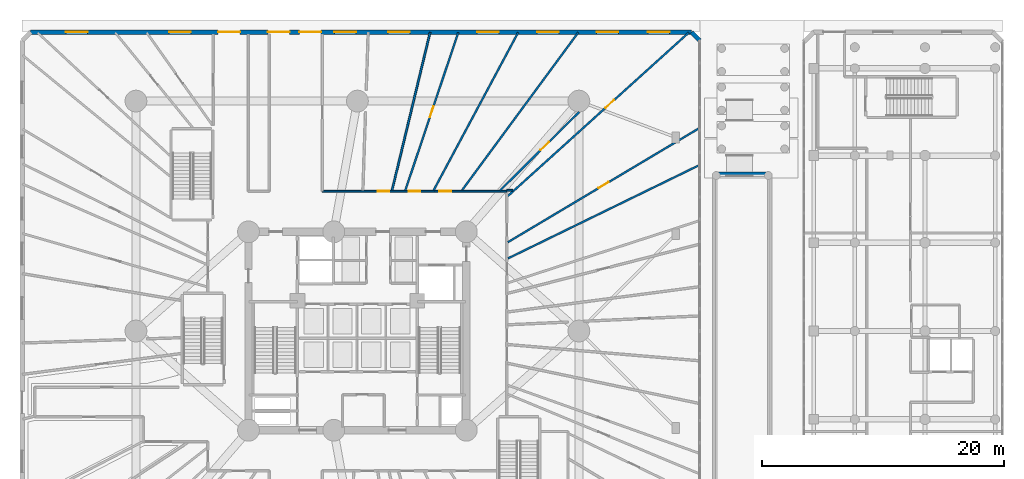
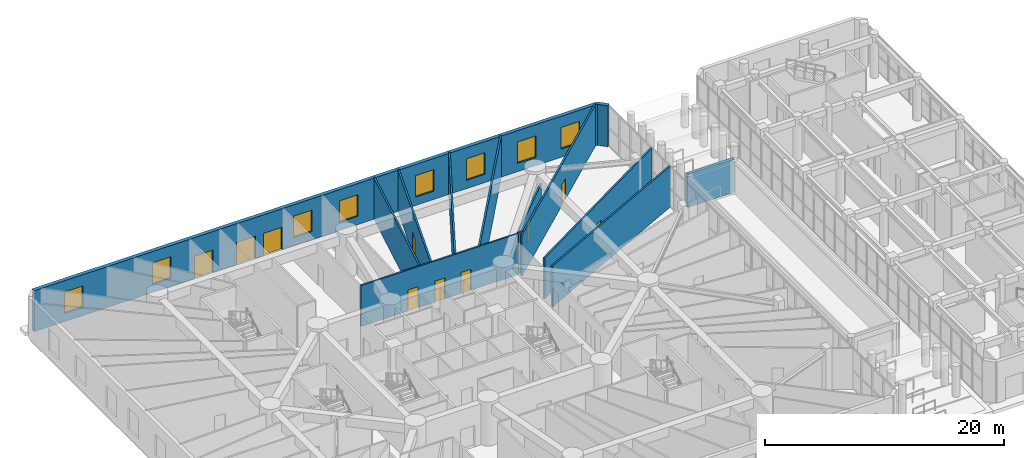
# One storey, part 19 of 30: 13 walls, 10 doors, 8 windows, 18 openings.
"""IFC4 building model written with IfcOpenShell, lengths in metres."""

from ifc_helpers import new_model, si_unit, direction, frame, frame_2d, origin, origin_with_axes, place, context, subcontext, project, spatial, rectangle, extrude, source, transform, mapped, material, layer, layer_set, type_object, element, fill, save


model = new_model("IFC4")

# Units and contexts
model_context = context("Model", 3, precision=1e-05, world=origin(), true_north=direction((0.0, 1.0)))
body_context = subcontext(model_context, "Body", "Model", "MODEL_VIEW")
ifc_project = project(units=[si_unit("LENGTHUNIT", "METRE"), si_unit("AREAUNIT", "SQUARE_METRE"), si_unit("VOLUMEUNIT", "CUBIC_METRE"), si_unit("PLANEANGLEUNIT", "RADIAN"), si_unit("MASSUNIT", "GRAM", prefix="KILO")], contexts=[model_context])

# Site, building, storey
site_placement = place(None, origin())
site = spatial("IfcSite", under=ifc_project, at=site_placement, CompositionType="ELEMENT")
building_placement = place(site_placement, origin())
building = spatial("IfcBuilding", under=site, at=building_placement, Name="Karkom Vertical University and Central Library", CompositionType="ELEMENT")
storey_placement = place(building_placement, origin())
storey = spatial("IfcBuildingStorey", under=building, at=storey_placement, Name="L00", CompositionType="ELEMENT", Elevation=0.0)

# Walls
ifc_material_1 = material(Name="Brick-faced precast concrete C45/55", Category="masonry")
ifc_layer_1 = layer(ifc_material_1, 0.320068359375)
ifc_layer_set_1 = layer_set([ifc_layer_1], Name="Brick-faced precast concrete C45/55")
wall_type_1 = type_object("IfcWallType", Name="ENV-WL-BRK-320", PredefinedType="SOLIDWALL", material=ifc_layer_set_1)
wall_1_placement = place(storey_placement, frame((58.0, 39.5, 0.0), z_axis=(0.0, 0.0, 1.0), x_axis=(1.0, 0.0, 0.0)))
element("IfcWall", 1, at=wall_1_placement, inside=storey, type_object=wall_type_1, Name="Level 00 Car Park Ramp Pavilion Wall N", PredefinedType="SOLIDWALL", context=body_context, shape_type="SweptSolid", body=[
    extrude(rectangle(XDim=4.60009765625, YDim=0.320068359375, at=frame_2d((2.300048828125, 0.0))), origin(), (0.0, 0.0, 1.0), 3.360107421875),
])
ifc_material_2 = material(Name="Brick masonry 360mm insulated cavity", Category="masonry")
ifc_layer_2 = layer(ifc_material_2, 0.360107421875)
ifc_layer_set_2 = layer_set([ifc_layer_2], Name="Brick masonry 360mm insulated cavity")
wall_type_2 = type_object("IfcWallType", Name="ENV-WL-BRK-360", PredefinedType="SOLIDWALL", material=ifc_layer_set_2)
wall_2_placement = place(storey_placement, frame((56.800048828125, 50.5, 0.0), z_axis=(0.0, 0.0, 1.0), x_axis=(-0.707106781187, 0.707106781187, 0.0)))
element("IfcWall", 2, at=wall_2_placement, inside=storey, type_object=wall_type_2, Name="Level 00 POD Terracotta Brick Facade Wall 04", PredefinedType="SOLIDWALL", context=body_context, shape_type="SweptSolid", body=[
    extrude(rectangle(XDim=0.989990234375, YDim=0.360107421875, at=frame_2d((0.4951171875, 0.0))), origin(), (0.0, 0.0, 1.0), 4.199951171875),
])

# Wall, openings, windows, doors
wall_3_placement = place(storey_placement, frame((1.5, 51.199951171875, 0.0), z_axis=(0.0, 0.0, 1.0), x_axis=(1.0, 0.0, 0.0)))
wall_3 = element("IfcWall", 3, at=wall_3_placement, inside=storey, type_object=wall_type_2, Name="Level 00 POD Terracotta Brick Facade Wall 05", PredefinedType="SOLIDWALL", context=body_context, shape_type="SweptSolid", body=[
    extrude(rectangle(XDim=54.60009765625, YDim=0.360107421875, at=frame_2d((27.300048828125, 0.0))), origin(), (0.0, 0.0, 1.0), 4.199951171875),
])
opening_1_placement = place(wall_3_placement, frame((51.007080078125, 0.0, 0.85009765625)))
opening_1 = element("IfcOpeningElement", 4, at=opening_1_placement, cuts=wall_3, Name="Opening WN-01", PredefinedType="OPENING", context=body_context, shape_type="SweptSolid", body=[
    extrude(rectangle(XDim=1.800048828125, YDim=2.199951171875, at=frame_2d((0.89990234375, 1.10009765625))), frame((0.0, 0.18994140625, 0.0), z_axis=(0.0, -1.0, 0.0), x_axis=(1.0, 0.0, 0.0)), (0.0, 0.0, 1.0), 0.380126953125),
])
opening_2_placement = place(wall_3_placement, frame((46.7646484375, 0.0, 0.85009765625)))
opening_2 = element("IfcOpeningElement", 5, at=opening_2_placement, cuts=wall_3, Name="Opening WN-01", PredefinedType="OPENING", context=body_context, shape_type="SweptSolid", body=[
    extrude(rectangle(XDim=1.800048828125, YDim=2.199951171875, at=frame_2d((0.89990234375, 1.10009765625))), frame((0.0, 0.18994140625, 0.0), z_axis=(0.0, -1.0, 0.0), x_axis=(1.0, 0.0, 0.0)), (0.0, 0.0, 1.0), 0.380126953125),
])
opening_3_placement = place(wall_3_placement, frame((41.84423828125, 0.0, 0.85009765625)))
opening_3 = element("IfcOpeningElement", 6, at=opening_3_placement, cuts=wall_3, Name="Opening WN-01", PredefinedType="OPENING", context=body_context, shape_type="SweptSolid", body=[
    extrude(rectangle(XDim=1.800048828125, YDim=2.199951171875, at=frame_2d((0.89990234375, 1.10009765625))), frame((0.0, 0.18994140625, 0.0), z_axis=(0.0, -1.0, 0.0), x_axis=(1.0, 0.0, 0.0)), (0.0, 0.0, 1.0), 0.380126953125),
])
opening_4_placement = place(wall_3_placement, frame((36.893798828125, 0.0, 0.85009765625)))
opening_4 = element("IfcOpeningElement", 7, at=opening_4_placement, cuts=wall_3, Name="Opening WN-01", PredefinedType="OPENING", context=body_context, shape_type="SweptSolid", body=[
    extrude(rectangle(XDim=1.800048828125, YDim=2.199951171875, at=frame_2d((0.89990234375, 1.10009765625))), frame((0.0, 0.18994140625, 0.0), z_axis=(0.0, -1.0, 0.0), x_axis=(1.0, 0.0, 0.0)), (0.0, 0.0, 1.0), 0.380126953125),
])
opening_5_placement = place(wall_3_placement, frame((29.542236328125, 0.0, 0.85009765625)))
opening_5 = element("IfcOpeningElement", 8, at=opening_5_placement, cuts=wall_3, Name="Opening WN-01", PredefinedType="OPENING", context=body_context, shape_type="SweptSolid", body=[
    extrude(rectangle(XDim=1.800048828125, YDim=2.199951171875, at=frame_2d((0.89990234375, 1.10009765625))), frame((0.0, 0.18994140625, 0.0), z_axis=(0.0, -1.0, 0.0), x_axis=(1.0, 0.0, 0.0)), (0.0, 0.0, 1.0), 0.380126953125),
])
opening_6_placement = place(wall_3_placement, frame((25.09423828125, 0.0, 0.85009765625)))
opening_6 = element("IfcOpeningElement", 9, at=opening_6_placement, cuts=wall_3, Name="Opening WN-01", PredefinedType="OPENING", context=body_context, shape_type="SweptSolid", body=[
    extrude(rectangle(XDim=1.800048828125, YDim=2.199951171875, at=frame_2d((0.89990234375, 1.10009765625))), frame((0.0, 0.18994140625, 0.0), z_axis=(0.0, -1.0, 0.0), x_axis=(1.0, 0.0, 0.0)), (0.0, 0.0, 1.0), 0.380126953125),
])
opening_7_placement = place(wall_3_placement, frame((11.4453125, 0.0, 0.85009765625)))
opening_7 = element("IfcOpeningElement", 10, at=opening_7_placement, cuts=wall_3, Name="Opening WN-01", PredefinedType="OPENING", context=body_context, shape_type="SweptSolid", body=[
    extrude(rectangle(XDim=1.800048828125, YDim=2.199951171875, at=frame_2d((0.89990234375, 1.10009765625))), frame((0.0, 0.18994140625, 0.0), z_axis=(0.0, -1.0, 0.0), x_axis=(1.0, 0.0, 0.0)), (0.0, 0.0, 1.0), 0.380126953125),
])
opening_8_placement = place(wall_3_placement, frame((2.908447265625, 0.0, 0.85009765625)))
opening_8 = element("IfcOpeningElement", 11, at=opening_8_placement, cuts=wall_3, Name="Opening WN-01", PredefinedType="OPENING", context=body_context, shape_type="SweptSolid", body=[
    extrude(rectangle(XDim=1.800048828125, YDim=2.199951171875, at=frame_2d((0.89990234375, 1.10009765625))), frame((0.0, 0.18994140625, 0.0), z_axis=(0.0, -1.0, 0.0), x_axis=(1.0, 0.0, 0.0)), (0.0, 0.0, 1.0), 0.380126953125),
])
opening_9_placement = place(wall_3_placement, frame((19.60009765625, 0.0, 0.0)))
opening_9 = element("IfcOpeningElement", 12, at=opening_9_placement, cuts=wall_3, Name="Opening ED-1", PredefinedType="OPENING", context=body_context, shape_type="SweptSolid", body=[
    extrude(rectangle(XDim=1.800048828125, YDim=2.300048828125, at=frame_2d((0.89990234375, 1.14990234375))), frame((0.0, 0.18994140625, 0.0), z_axis=(0.0, -1.0, 0.0), x_axis=(1.0, 0.0, 0.0)), (0.0, 0.0, 1.0), 0.380126953125),
])
opening_10_placement = place(wall_3_placement, frame((22.199951171875, 0.0, 0.0)))
opening_10 = element("IfcOpeningElement", 13, at=opening_10_placement, cuts=wall_3, Name="Opening ED-1", PredefinedType="OPENING", context=body_context, shape_type="SweptSolid", body=[
    extrude(rectangle(XDim=1.800048828125, YDim=2.300048828125, at=frame_2d((0.89990234375, 1.14990234375))), frame((0.0, 0.18994140625, 0.0), z_axis=(0.0, -1.0, 0.0), x_axis=(1.0, 0.0, 0.0)), (0.0, 0.0, 1.0), 0.380126953125),
])
opening_11_placement = place(wall_3_placement, frame((15.5, 0.0, 0.0)))
opening_11 = element("IfcOpeningElement", 14, at=opening_11_placement, cuts=wall_3, Name="Opening ED-1", PredefinedType="OPENING", context=body_context, shape_type="SweptSolid", body=[
    extrude(rectangle(XDim=1.800048828125, YDim=2.300048828125, at=frame_2d((0.89990234375, 1.14990234375))), frame((0.0, 0.18994140625, 0.0), z_axis=(0.0, -1.0, 0.0), x_axis=(1.0, 0.0, 0.0)), (0.0, 0.0, 1.0), 0.380126953125),
])
ifc_material_3 = material(Name="Aluminium thermal-break frame with solar-control IGU", Category="aluminium")
window_type = type_object("IfcWindowType", Name="ENV-WIN-WN-01", PartitioningType="SINGLE_PANEL", PredefinedType="WINDOW", material=ifc_material_3)
shared_shape_1 = source(origin_with_axes(), body_context, "Body", "SweptSolid", [
    extrude(rectangle(XDim=1.800048828125, YDim=2.199951171875, at=frame_2d((0.89990234375, 1.10009765625))), frame((0.0, 0.030029296875, 0.0), z_axis=(0.0, -1.0, 0.0), x_axis=(1.0, 0.0, 0.0)), (0.0, 0.0, 1.0), 0.06005859375),
])
window_1_placement = place(opening_1_placement, origin())
window_1 = element("IfcWindow", 15, at=window_1_placement, inside=storey, type_object=window_type, Name="Level 00 POD Punched Window 01", OverallHeight=2.199951171875, OverallWidth=1.800048828125, PartitioningType="SINGLE_PANEL", PredefinedType="WINDOW", context=body_context, shape_type="MappedRepresentation", body=[
    mapped(shared_shape_1, transform((0.0, 0.0, 0.0), scale=1.0)),
])
fill(opening_1, window_1)
window_2_placement = place(opening_2_placement, origin())
window_2 = element("IfcWindow", 16, at=window_2_placement, inside=storey, type_object=window_type, Name="Level 00 POD Punched Window 02", OverallHeight=2.199951171875, OverallWidth=1.800048828125, PartitioningType="SINGLE_PANEL", PredefinedType="WINDOW", context=body_context, shape_type="MappedRepresentation", body=[
    mapped(shared_shape_1, transform((0.0, 0.0, 0.0), scale=1.0)),
])
fill(opening_2, window_2)
window_3_placement = place(opening_3_placement, origin())
window_3 = element("IfcWindow", 17, at=window_3_placement, inside=storey, type_object=window_type, Name="Level 00 POD Punched Window 03", OverallHeight=2.199951171875, OverallWidth=1.800048828125, PartitioningType="SINGLE_PANEL", PredefinedType="WINDOW", context=body_context, shape_type="MappedRepresentation", body=[
    mapped(shared_shape_1, transform((0.0, 0.0, 0.0), scale=1.0)),
])
fill(opening_3, window_3)
window_4_placement = place(opening_4_placement, origin())
window_4 = element("IfcWindow", 18, at=window_4_placement, inside=storey, type_object=window_type, Name="Level 00 POD Punched Window 04", OverallHeight=2.199951171875, OverallWidth=1.800048828125, PartitioningType="SINGLE_PANEL", PredefinedType="WINDOW", context=body_context, shape_type="MappedRepresentation", body=[
    mapped(shared_shape_1, transform((0.0, 0.0, 0.0), scale=1.0)),
])
fill(opening_4, window_4)
window_5_placement = place(opening_5_placement, origin())
window_5 = element("IfcWindow", 19, at=window_5_placement, inside=storey, type_object=window_type, Name="Level 00 POD Punched Window 05", OverallHeight=2.199951171875, OverallWidth=1.800048828125, PartitioningType="SINGLE_PANEL", PredefinedType="WINDOW", context=body_context, shape_type="MappedRepresentation", body=[
    mapped(shared_shape_1, transform((0.0, 0.0, 0.0), scale=1.0)),
])
fill(opening_5, window_5)
window_6_placement = place(opening_6_placement, origin())
window_6 = element("IfcWindow", 20, at=window_6_placement, inside=storey, type_object=window_type, Name="Level 00 POD Punched Window 06", OverallHeight=2.199951171875, OverallWidth=1.800048828125, PartitioningType="SINGLE_PANEL", PredefinedType="WINDOW", context=body_context, shape_type="MappedRepresentation", body=[
    mapped(shared_shape_1, transform((0.0, 0.0, 0.0), scale=1.0)),
])
fill(opening_6, window_6)
window_7_placement = place(opening_7_placement, origin())
window_7 = element("IfcWindow", 21, at=window_7_placement, inside=storey, type_object=window_type, Name="Level 00 POD Punched Window 09", OverallHeight=2.199951171875, OverallWidth=1.800048828125, PartitioningType="SINGLE_PANEL", PredefinedType="WINDOW", context=body_context, shape_type="MappedRepresentation", body=[
    mapped(shared_shape_1, transform((0.0, 0.0, 0.0), scale=1.0)),
])
fill(opening_7, window_7)
window_8_placement = place(opening_8_placement, origin())
window_8 = element("IfcWindow", 22, at=window_8_placement, inside=storey, type_object=window_type, Name="Level 00 POD Punched Window 10", OverallHeight=2.199951171875, OverallWidth=1.800048828125, PartitioningType="SINGLE_PANEL", PredefinedType="WINDOW", context=body_context, shape_type="MappedRepresentation", body=[
    mapped(shared_shape_1, transform((0.0, 0.0, 0.0), scale=1.0)),
])
fill(opening_8, window_8)
ifc_material_4 = material(Name="Thermally broken glazed steel exit door", Category="steel")
door_type_1 = type_object("IfcDoorType", Name="ENV-DR-ED1", OperationType="DOUBLE_DOOR_SINGLE_SWING", PredefinedType="DOOR", material=ifc_material_4)
shared_shape_2 = source(origin_with_axes(), body_context, "Body", "SweptSolid", [
    extrude(rectangle(XDim=1.800048828125, YDim=2.300048828125, at=frame_2d((0.89990234375, 1.14990234375))), frame((0.0, 0.02490234375, 0.0), z_axis=(0.0, -1.0, 0.0), x_axis=(1.0, 0.0, 0.0)), (0.0, 0.0, 1.0), 0.050048828125),
])
door_1_placement = place(opening_9_placement, origin())
door_1 = element("IfcDoor", 23, at=door_1_placement, inside=storey, type_object=door_type_1, Name="Level 00 Final Ground Exit Door ED-03", OperationType="DOUBLE_DOOR_SINGLE_SWING", OverallHeight=2.300048828125, OverallWidth=1.800048828125, PredefinedType="DOOR", context=body_context, shape_type="MappedRepresentation", body=[
    mapped(shared_shape_2, transform((0.0, 0.0, 0.0), scale=1.0)),
])
fill(opening_9, door_1)
door_2_placement = place(opening_10_placement, origin())
door_2 = element("IfcDoor", 24, at=door_2_placement, inside=storey, type_object=door_type_1, Name="Level 00 Final Ground Exit Door ED-04", OperationType="DOUBLE_DOOR_SINGLE_SWING", OverallHeight=2.300048828125, OverallWidth=1.800048828125, PredefinedType="DOOR", context=body_context, shape_type="MappedRepresentation", body=[
    mapped(shared_shape_2, transform((0.0, 0.0, 0.0), scale=1.0)),
])
fill(opening_10, door_2)
door_3_placement = place(opening_11_placement, origin())
door_3 = element("IfcDoor", 25, at=door_3_placement, inside=storey, type_object=door_type_1, Name="Level 00 Final Ground Exit Door ED-07", OperationType="DOUBLE_DOOR_SINGLE_SWING", OverallHeight=2.300048828125, OverallWidth=1.800048828125, PredefinedType="DOOR", context=body_context, shape_type="MappedRepresentation", body=[
    mapped(shared_shape_2, transform((0.0, 0.0, 0.0), scale=1.0)),
])
fill(opening_11, door_3)

# Wall, opening, door
ifc_material_5 = material(Name="Insulated metal-stud drywall 160mm", Category="gypsum")
ifc_layer_3 = layer(ifc_material_5, 0.159912109375)
ifc_layer_set_3 = layer_set([ifc_layer_3], Name="Insulated metal-stud drywall 160mm")
wall_type_3 = type_object("IfcWallType", Name="INT-WL-COR-160", PredefinedType="PARTITIONING", material=ifc_layer_set_3)
wall_4_placement = place(storey_placement, frame((40.931884765625, 37.65234375, 0.0), z_axis=(0.0, 0.0, 1.0), x_axis=(0.741982219561, 0.670419559571, 0.0)))
wall_4 = element("IfcWall", 26, at=wall_4_placement, inside=storey, type_object=wall_type_3, Name="Level 00 Interior Partition Wall L00-PODW-32-33-1", PredefinedType="PARTITIONING", context=body_context, shape_type="SweptSolid", body=[
    extrude(rectangle(XDim=20.138427734375, YDim=0.159912109375, at=frame_2d((10.0693359375, 0.0))), origin(), (0.0, 0.0, 1.0), 4.199951171875),
])
opening_12_placement = place(wall_4_placement, frame((10.86669921875, 0.0, 0.0)))
opening_12 = element("IfcOpeningElement", 27, at=opening_12_placement, cuts=wall_4, Name="Opening FD-RM2", PredefinedType="OPENING", context=body_context, shape_type="SweptSolid", body=[
    extrude(rectangle(XDim=0.9599609375, YDim=2.14990234375, at=frame_2d((0.47998046875, 1.074951171875))), frame((0.0, 0.08984375, 0.0), z_axis=(0.0, -1.0, 0.0), x_axis=(1.0, 0.0, 0.0)), (0.0, 0.0, 1.0), 0.179931640625),
])
ifc_material_6 = material(Name="Fire-rated oak veneer door", Category="wood")
door_type_2 = type_object("IfcDoorType", Name="INT-DR-FRM2", OperationType="NOTDEFINED", PredefinedType="DOOR", material=ifc_material_6)
shared_shape_3 = source(origin_with_axes(), body_context, "Body", "SweptSolid", [
    extrude(rectangle(XDim=0.9599609375, YDim=2.14990234375, at=frame_2d((0.47998046875, 1.074951171875))), frame((0.0, 0.02490234375, 0.0), z_axis=(0.0, -1.0, 0.0), x_axis=(1.0, 0.0, 0.0)), (0.0, 0.0, 1.0), 0.050048828125),
])
door_4_placement = place(opening_12_placement, origin())
door_4 = element("IfcDoor", 28, at=door_4_placement, inside=storey, type_object=door_type_2, Name="Level 00 Room Entry Door 832", OperationType="SINGLE_SWING_LEFT", OverallHeight=2.14990234375, OverallWidth=0.9599609375, PredefinedType="DOOR", context=body_context, shape_type="MappedRepresentation", body=[
    mapped(shared_shape_3, transform((0.0, 0.0, 0.0), scale=1.0)),
])
fill(opening_12, door_4)

wall_5_placement = place(storey_placement, frame((40.931884765625, 33.839111328125, 0.0), z_axis=(0.0, 0.0, 1.0), x_axis=(0.859023594577, 0.51193599596, 0.0)))
wall_5 = element("IfcWall", 29, at=wall_5_placement, inside=storey, type_object=wall_type_3, Name="Level 00 Interior Partition Wall L00-PODW-31-32-1", PredefinedType="PARTITIONING", context=body_context, shape_type="SweptSolid", body=[
    extrude(rectangle(XDim=18.4326171875, YDim=0.159912109375, at=frame_2d((9.21630859375, 0.0))), origin(), (0.0, 0.0, 1.0), 4.199951171875),
])
opening_13_placement = place(wall_5_placement, frame((8.723876953125, 0.0, 0.0)))
opening_13 = element("IfcOpeningElement", 30, at=opening_13_placement, cuts=wall_5, Name="Opening FD-RM2", PredefinedType="OPENING", context=body_context, shape_type="SweptSolid", body=[
    extrude(rectangle(XDim=0.9599609375, YDim=2.14990234375, at=frame_2d((0.47998046875, 1.074951171875))), frame((0.0, 0.08984375, 0.0), z_axis=(0.0, -1.0, 0.0), x_axis=(1.0, 0.0, 0.0)), (0.0, 0.0, 1.0), 0.179931640625),
])
door_5_placement = place(opening_13_placement, origin())
door_5 = element("IfcDoor", 31, at=door_5_placement, inside=storey, type_object=door_type_2, Name="Level 00 Room Entry Door 831", OperationType="SINGLE_SWING_RIGHT", OverallHeight=2.14990234375, OverallWidth=0.9599609375, PredefinedType="DOOR", context=body_context, shape_type="MappedRepresentation", body=[
    mapped(shared_shape_3, transform((0.0, 0.0, 0.0), scale=1.0)),
])
fill(opening_13, door_5)

# Walls
wall_6_placement = place(storey_placement, frame((40.931884765625, 32.49462890625, 0.0), z_axis=(0.0, 0.0, 1.0), x_axis=(0.898852728793, 0.438250809403, 0.0)))
element("IfcWall", 32, at=wall_6_placement, inside=storey, type_object=wall_type_3, Name="Level 00 Interior Partition Wall L00-PODW-30-31-1", PredefinedType="PARTITIONING", context=body_context, shape_type="SweptSolid", body=[
    extrude(rectangle(XDim=17.61865234375, YDim=0.159912109375, at=frame_2d((8.809326171875, 0.0))), origin(), (0.0, 0.0, 1.0), 4.199951171875),
])
wall_7_placement = place(storey_placement, frame((37.144287109375, 38.132080078125, 0.0), z_axis=(0.0, 0.0, 1.0), x_axis=(0.593152727381, 0.805089958949, 0.0)))
element("IfcWall", 33, at=wall_7_placement, inside=storey, type_object=wall_type_3, Name="Level 00 Interior Partition Wall L00-PODW-34-35-1", PredefinedType="PARTITIONING", context=body_context, shape_type="SweptSolid", body=[
    extrude(rectangle(XDim=16.184814453125, YDim=0.159912109375, at=frame_2d((8.09228515625, 0.0))), origin(), (0.0, 0.0, 1.0), 4.199951171875),
])
wall_8_placement = place(storey_placement, frame((34.7919921875, 38.118896484375, 0.0), z_axis=(0.0, 0.0, 1.0), x_axis=(0.472198527924, 0.881492229249, 0.0)))
element("IfcWall", 34, at=wall_8_placement, inside=storey, type_object=wall_type_3, Name="Level 00 Interior Partition Wall L00-PODW-35-36-1", PredefinedType="PARTITIONING", context=body_context, shape_type="SweptSolid", body=[
    extrude(rectangle(XDim=14.802490234375, YDim=0.159912109375, at=frame_2d((7.4013671875, 0.0))), origin(), (0.0, 0.0, 1.0), 4.199951171875),
])

# Wall, opening, door
wall_9_placement = place(storey_placement, frame((32.457763671875, 38.117919921875, 0.0), z_axis=(0.0, 0.0, 1.0), x_axis=(0.317860488547, 0.948137495209, 0.0)))
wall_9 = element("IfcWall", 35, at=wall_9_placement, inside=storey, type_object=wall_type_3, Name="Level 00 Interior Partition Wall L00-PODW-36-37-1", PredefinedType="PARTITIONING", context=body_context, shape_type="SweptSolid", body=[
    extrude(rectangle(XDim=13.767822265625, YDim=0.159912109375, at=frame_2d((6.8837890625, 0.0))), origin(), (0.0, 0.0, 1.0), 4.199951171875),
])
opening_14_placement = place(wall_9_placement, frame((6.3837890625, 0.0, 0.0)))
opening_14 = element("IfcOpeningElement", 36, at=opening_14_placement, cuts=wall_9, Name="Opening FD-RM2", PredefinedType="OPENING", context=body_context, shape_type="SweptSolid", body=[
    extrude(rectangle(XDim=0.9599609375, YDim=2.14990234375, at=frame_2d((0.47998046875, 1.074951171875))), frame((0.0, 0.08984375, 0.0), z_axis=(0.0, -1.0, 0.0), x_axis=(1.0, 0.0, 0.0)), (0.0, 0.0, 1.0), 0.179931640625),
])
door_6_placement = place(opening_14_placement, origin())
door_6 = element("IfcDoor", 37, at=door_6_placement, inside=storey, type_object=door_type_2, Name="Level 00 Room Entry Door 836", OperationType="SINGLE_SWING_LEFT", OverallHeight=2.14990234375, OverallWidth=0.9599609375, PredefinedType="DOOR", context=body_context, shape_type="MappedRepresentation", body=[
    mapped(shared_shape_3, transform((0.0, 0.0, 0.0), scale=1.0)),
])
fill(opening_14, door_6)

# Wall
wall_10_placement = place(storey_placement, frame((31.36328125, 38.132080078125, 0.0), z_axis=(0.0, 0.0, 1.0), x_axis=(0.234150049596, 0.972200470209, 0.0)))
element("IfcWall", 38, at=wall_10_placement, inside=storey, type_object=wall_type_3, Name="Level 00 Interior Partition Wall L00-PODW-37-38-1", PredefinedType="PARTITIONING", context=body_context, shape_type="SweptSolid", body=[
    extrude(rectangle(XDim=13.413818359375, YDim=0.159912109375, at=frame_2d((6.70703125, 0.0))), origin(), (0.0, 0.0, 1.0), 4.199951171875),
])

# Wall, opening, door
wall_11_placement = place(storey_placement, frame((40.296875, 38.121337890625, 0.0), z_axis=(0.0, 0.0, 1.0), x_axis=(0.709818075558, 0.704385050673, 0.0)))
wall_11 = element("IfcWall", 39, at=wall_11_placement, inside=storey, type_object=wall_type_3, Name="Level 00 Interior Partition Wall L00-PODW-33-34-2", PredefinedType="PARTITIONING", context=body_context, shape_type="SweptSolid", body=[
    extrude(rectangle(XDim=9.2119140625, YDim=0.159912109375, at=frame_2d((4.60595703125, 0.0))), origin(), (0.0, 0.0, 1.0), 3.25),
])
opening_15_placement = place(wall_11_placement, frame((4.71337890625, 0.0, 0.0)))
opening_15 = element("IfcOpeningElement", 40, at=opening_15_placement, cuts=wall_11, Name="Opening FD-RM2", PredefinedType="OPENING", context=body_context, shape_type="SweptSolid", body=[
    extrude(rectangle(XDim=0.9599609375, YDim=2.14990234375, at=frame_2d((0.47998046875, 1.074951171875))), frame((0.0, 0.08984375, 0.0), z_axis=(0.0, -1.0, 0.0), x_axis=(1.0, 0.0, 0.0)), (0.0, 0.0, 1.0), 0.179931640625),
])
door_7_placement = place(opening_15_placement, origin())
door_7 = element("IfcDoor", 41, at=door_7_placement, inside=storey, type_object=door_type_2, Name="Level 00 Room Entry Door 833", OperationType="SINGLE_SWING_RIGHT", OverallHeight=2.14990234375, OverallWidth=0.9599609375, PredefinedType="DOOR", context=body_context, shape_type="MappedRepresentation", body=[
    mapped(shared_shape_3, transform((0.0, 0.0, 0.0), scale=1.0)),
])
fill(opening_15, door_7)

# Wall
wall_12_placement = place(storey_placement, frame((41.33837890625, 38.1298828125, 0.0), z_axis=(0.0, 0.0, 1.0), x_axis=(-1.0, 0.0, 0.0)))
element("IfcWall", 42, at=wall_12_placement, inside=storey, type_object=wall_type_3, Name="Level 00 Interior Partition Wall L00-PODW-33-34-1", PredefinedType="PARTITIONING", context=body_context, shape_type="SweptSolid", body=[
    extrude(rectangle(XDim=0.48828125, YDim=0.159912109375, at=frame_2d((0.244140625, 0.0))), origin(), (0.0, 0.0, 1.0), 4.199951171875),
])

# Wall, openings, doors
ifc_layer_4 = layer(ifc_material_5, 0.159912109375)
ifc_layer_set_4 = layer_set([ifc_layer_4], Name="Insulated metal-stud drywall 160mm")
wall_type_4 = type_object("IfcWallType", Name="INT-WL-COR-160F", PredefinedType="PARTITIONING", material=ifc_layer_set_4)
wall_13_placement = place(storey_placement, frame((25.60009765625, 38.050048828125, 0.0), z_axis=(0.0, 0.0, 1.0), x_axis=(1.0, 0.0, 0.0)))
wall_13 = element("IfcWall", 43, at=wall_13_placement, inside=storey, type_object=wall_type_4, Name="Level 00 Interior Partition Wall L00-PDCW-CW-008", PredefinedType="PARTITIONING", context=body_context, shape_type="SweptSolid", body=[
    extrude(rectangle(XDim=15.25, YDim=0.159912109375, at=frame_2d((7.625, 0.0))), origin(), (0.0, 0.0, 1.0), 4.199951171875),
])
opening_16_placement = place(wall_13_placement, frame((9.677490234375, 0.0, 0.0)))
opening_16 = element("IfcOpeningElement", 44, at=opening_16_placement, cuts=wall_13, Name="Opening FD-RM2", PredefinedType="OPENING", context=body_context, shape_type="SweptSolid", body=[
    extrude(rectangle(XDim=0.9599609375, YDim=2.14990234375, at=frame_2d((0.47998046875, 1.074951171875))), frame((0.0, 0.08984375, 0.0), z_axis=(0.0, -1.0, 0.0), x_axis=(1.0, 0.0, 0.0)), (0.0, 0.0, 1.0), 0.179931640625),
])
opening_17_placement = place(wall_13_placement, frame((7.14990234375, 0.0, 0.0)))
opening_17 = element("IfcOpeningElement", 45, at=opening_17_placement, cuts=wall_13, Name="Opening FD-RM2", PredefinedType="OPENING", context=body_context, shape_type="SweptSolid", body=[
    extrude(rectangle(XDim=0.9599609375, YDim=2.14990234375, at=frame_2d((0.47998046875, 1.074951171875))), frame((0.0, 0.08984375, 0.0), z_axis=(0.0, -1.0, 0.0), x_axis=(1.0, 0.0, 0.0)), (0.0, 0.0, 1.0), 0.179931640625),
])
opening_18_placement = place(wall_13_placement, frame((4.572509765625, 0.0, 0.0)))
opening_18 = element("IfcOpeningElement", 46, at=opening_18_placement, cuts=wall_13, Name="Opening FD-RM2", PredefinedType="OPENING", context=body_context, shape_type="SweptSolid", body=[
    extrude(rectangle(XDim=0.9599609375, YDim=2.14990234375, at=frame_2d((0.47998046875, 1.074951171875))), frame((0.0, 0.08984375, 0.0), z_axis=(0.0, -1.0, 0.0), x_axis=(1.0, 0.0, 0.0)), (0.0, 0.0, 1.0), 0.179931640625),
])
door_8_placement = place(opening_16_placement, origin())
door_8 = element("IfcDoor", 47, at=door_8_placement, inside=storey, type_object=door_type_2, Name="Level 00 Room Entry Door 834", OperationType="SINGLE_SWING_LEFT", OverallHeight=2.14990234375, OverallWidth=0.9599609375, PredefinedType="DOOR", context=body_context, shape_type="MappedRepresentation", body=[
    mapped(shared_shape_3, transform((0.0, 0.0, 0.0), scale=1.0)),
])
fill(opening_16, door_8)
door_9_placement = place(opening_17_placement, origin())
door_9 = element("IfcDoor", 48, at=door_9_placement, inside=storey, type_object=door_type_2, Name="Level 00 Room Entry Door 835", OperationType="SINGLE_SWING_RIGHT", OverallHeight=2.14990234375, OverallWidth=0.9599609375, PredefinedType="DOOR", context=body_context, shape_type="MappedRepresentation", body=[
    mapped(shared_shape_3, transform((0.0, 0.0, 0.0), scale=1.0)),
])
fill(opening_17, door_9)
door_10_placement = place(opening_18_placement, origin())
door_10 = element("IfcDoor", 49, at=door_10_placement, inside=storey, type_object=door_type_2, Name="Level 00 Room Entry Door 837", OperationType="SINGLE_SWING_RIGHT", OverallHeight=2.14990234375, OverallWidth=0.9599609375, PredefinedType="DOOR", context=body_context, shape_type="MappedRepresentation", body=[
    mapped(shared_shape_3, transform((0.0, 0.0, 0.0), scale=1.0)),
])
fill(opening_18, door_10)

save(model, "model.ifc")
